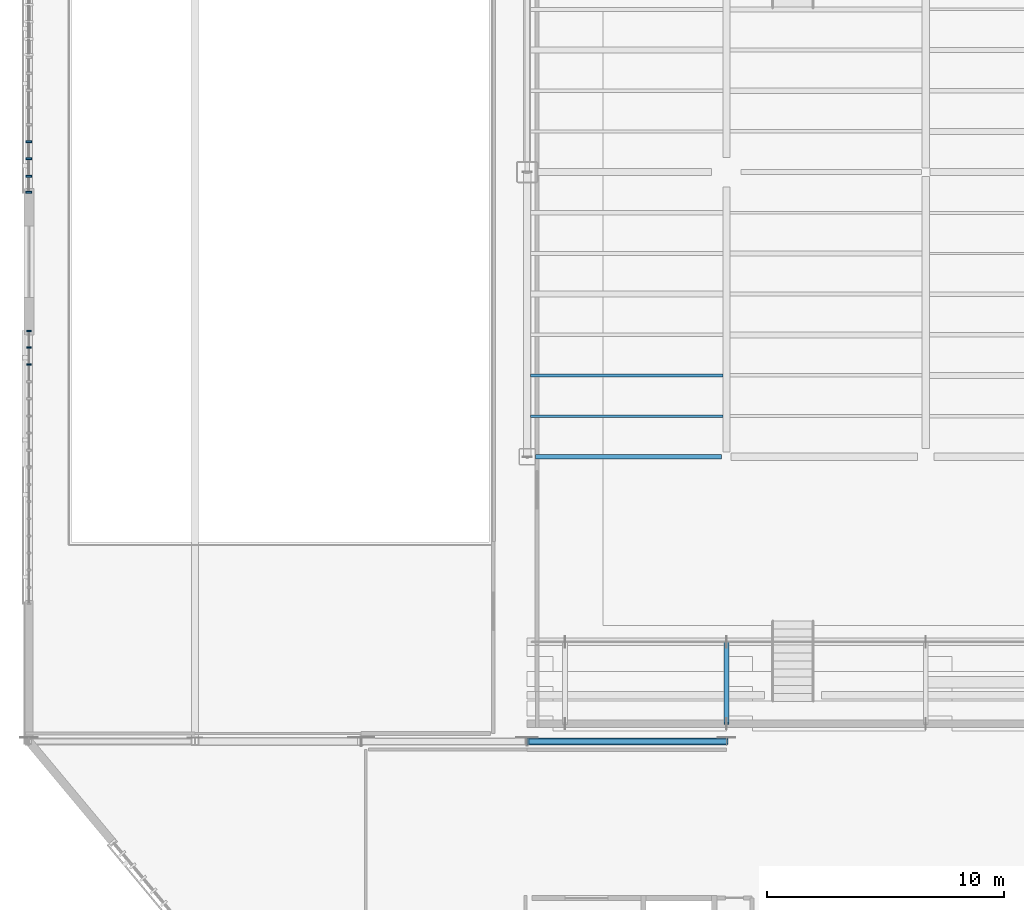
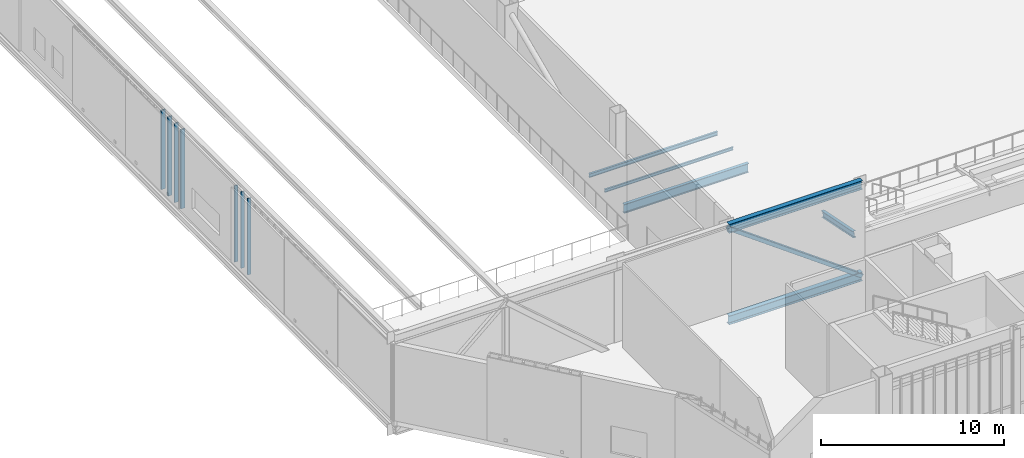
# One storey, part 13 of 135: 9 members, 5 beams, 2 elements without a shape of their own.
"""IFC4 building model written with IfcOpenShell, lengths in metres."""

from ifc_helpers import new_model, si_unit, direction, frame, origin, origin_2d, place, context, subcontext, project, spatial, rectangle, hollow_rectangle, i_section, extrude, material, material_profile, profile_set, type_object, element, aggregate, save


model = new_model("IFC4")

# Units and contexts
model_context = context("Model", 3, precision=1e-05, world=origin(), true_north=direction((0.0, 1.0)))
body_context = subcontext(model_context, "Body", "Model", "MODEL_VIEW")
ifc_project = project(units=[si_unit("LENGTHUNIT", "METRE"), si_unit("AREAUNIT", "SQUARE_METRE"), si_unit("VOLUMEUNIT", "CUBIC_METRE"), si_unit("PLANEANGLEUNIT", "RADIAN"), si_unit("MASSUNIT", "GRAM", prefix="KILO")], contexts=[model_context])

# Site, building, storey
site_placement = place(None, origin())
site = spatial("IfcSite", under=ifc_project, at=site_placement, CompositionType="ELEMENT")
building_placement = place(site_placement, origin())
building = spatial("IfcBuilding", under=site, at=building_placement, Name="Larkvane Passage Sports Hall", CompositionType="ELEMENT")
storey_placement = place(building_placement, frame((0.0, 0.0, 10.800048828125)))
storey = spatial("IfcBuildingStorey", under=building, at=storey_placement, Name="L02", CompositionType="ELEMENT", Elevation=10.800048828125)

# Beams
ifc_material_1 = material(Name="Steel S460N", Category="steel")
ifc_material_profile_1 = material_profile(ifc_material_1, i_section(OverallWidth=0.300048828125, OverallDepth=0.587890625, WebThickness=0.011962890625, FlangeThickness=0.02001953125, FilletRadius=0.02197265625, at=origin_2d()), Name="H-588x300x12x20")
ifc_profile_set_1 = profile_set([ifc_material_profile_1], Name="Steel S460N")
beam_type_1 = type_object("IfcBeamType", Name="BM-STL-H588", PredefinedType="BEAM", material=ifc_profile_set_1)
for number, where, z_axis, x_axis, name in (
    (1, (34.800048828125, 39.60009765625, -0.714111328125), (1.0, 0.0, 0.0), (0.0, 1.0, 0.0), "Cantilever truss CT-W2A-1 bottom chord 4"),
    (2, (34.800048828125, 39.60009765625, 5.385986328125), (1.0, 0.0, 0.0), (0.0, 1.0, 0.0), "Cantilever truss CT-W2A-1 top chord 4"),
):
    element("IfcBeam", number, at=place(storey_placement, frame(where, z_axis=z_axis, x_axis=x_axis)), inside=storey, type_object=beam_type_1, Name=name, PredefinedType="BEAM", context=body_context, shape_type="SweptSolid", body=[
        extrude(i_section(OverallWidth=0.300048828125, OverallDepth=0.587890625, WebThickness=0.011962890625, FlangeThickness=0.02001953125, FilletRadius=0.02197265625, at=origin_2d()), origin(), (0.0, 0.0, 1.0), 8.39990234375),
    ])
ifc_material_2 = material(Name="Steel S355JR", Category="steel")
ifc_material_profile_2 = material_profile(ifc_material_2, i_section(OverallWidth=0.199951171875, OverallDepth=0.60009765625, WebThickness=0.010986328125, FlangeThickness=0.01708984375, FilletRadius=0.01806640625, at=origin_2d()), Name="H-600x200x11x17")
ifc_profile_set_2 = profile_set([ifc_material_profile_2], Name="Steel S355JR")
beam_type_2 = type_object("IfcBeamType", Name="BM-STL-H600", PredefinedType="BEAM", material=ifc_profile_set_2)
beam_1_placement = place(storey_placement, frame((35.14990234375, 51.60009765625, -0.719970703125), z_axis=(1.0, 0.0, 0.0), x_axis=(0.0, 1.0, 0.0)))
element("IfcBeam", 3, at=beam_1_placement, inside=storey, type_object=beam_type_2, Name="Girder BM5-X-L02-G-0696", PredefinedType="BEAM", context=body_context, shape_type="SweptSolid", body=[
    extrude(i_section(OverallWidth=0.199951171875, OverallDepth=0.60009765625, WebThickness=0.010986328125, FlangeThickness=0.01708984375, FilletRadius=0.01806640625, at=origin_2d()), origin(), (0.0, 0.0, 1.0), 7.85009765625),
])

# Curtain wall, members
ifc_material_3 = material(Name="Thermally broken aluminium and low-E glazing", Category="aluminium")
curtain_wall_type_1 = type_object("IfcCurtainWallType", Name="CW-UNIT-VEIL", PredefinedType="USERDEFINED", material=ifc_material_3)
curtain_wall_1_placement = place(storey_placement, origin())
curtain_wall_1 = element("IfcCurtainWall", 4, at=curtain_wall_1_placement, inside=storey, type_object=curtain_wall_type_1, Name="Curtain wall CW5-L02-093", ObjectType="UNITISED CURTAIN WALL", PredefinedType="USERDEFINED")
ifc_material_4 = material(Name="Anodised aluminium 6063-T6", Category="aluminium")
ifc_material_profile_3 = material_profile(ifc_material_4, rectangle(XDim=0.070068359375, YDim=0.199951171875, at=origin_2d()), Name="ALU-MUL-70x200")
ifc_profile_set_3 = profile_set([ifc_material_profile_3], Name="Anodised aluminium 6063-T6")
member_type_1 = type_object("IfcMemberType", Name="CW-MUL-70x200", PredefinedType="MULLION", material=ifc_profile_set_3)
member_1_placement = place(storey_placement, frame((13.800048828125, 55.48876953125, 0.0), z_axis=(0.0, 0.0, 1.0), x_axis=(0.0, 1.0, 0.0)))
member_1 = element("IfcMember", 5, at=member_1_placement, type_object=member_type_1, Name="CW-02 mullion 7", PredefinedType="MULLION", context=body_context, shape_type="SweptSolid", body=[
    extrude(rectangle(XDim=0.070068359375, YDim=0.199951171875, at=origin_2d()), origin(), (0.0, 0.0, 1.0), 5.079833984375),
])
member_2_placement = place(storey_placement, frame((13.800048828125, 56.211181640625, 0.0), z_axis=(0.0, 0.0, 1.0), x_axis=(0.0, 1.0, 0.0)))
member_2 = element("IfcMember", 6, at=member_2_placement, type_object=member_type_1, Name="CW-02 mullion 8", PredefinedType="MULLION", context=body_context, shape_type="SweptSolid", body=[
    extrude(rectangle(XDim=0.070068359375, YDim=0.199951171875, at=origin_2d()), origin(), (0.0, 0.0, 1.0), 5.079833984375),
])
member_3_placement = place(storey_placement, frame((13.800048828125, 56.898193359375, 0.0), z_axis=(0.0, 0.0, 1.0), x_axis=(0.0, 1.0, 0.0)))
member_3 = element("IfcMember", 7, at=member_3_placement, type_object=member_type_1, Name="CW-02 mullion 9", PredefinedType="MULLION", context=body_context, shape_type="SweptSolid", body=[
    extrude(rectangle(XDim=0.070068359375, YDim=0.199951171875, at=origin_2d()), origin(), (0.0, 0.0, 1.0), 5.079833984375),
])
aggregate(curtain_wall_1, [member_1, member_2, member_3])

curtain_wall_type_2 = type_object("IfcCurtainWallType", Name="CW-STICK-FOYER", PredefinedType="USERDEFINED", material=ifc_material_3)
curtain_wall_2_placement = place(storey_placement, origin())
curtain_wall_2 = element("IfcCurtainWall", 8, at=curtain_wall_2_placement, inside=storey, type_object=curtain_wall_type_2, Name="Curtain wall CW5-L02-094", ObjectType="STICK CURTAIN WALL", PredefinedType="USERDEFINED")
ifc_material_profile_4 = material_profile(ifc_material_4, rectangle(XDim=0.080078125, YDim=0.25, at=origin_2d()), Name="ALU-MUL-80x250")
ifc_profile_set_4 = profile_set([ifc_material_profile_4], Name="Anodised aluminium 6063-T6")
member_type_2 = type_object("IfcMemberType", Name="CW-MUL-80x250", PredefinedType="MULLION", material=ifc_profile_set_4)
member_4_placement = place(storey_placement, frame((13.800048828125, 62.751220703125, 0.0), z_axis=(0.0, 0.0, 1.0), x_axis=(0.0, 1.0, 0.0)))
member_4 = element("IfcMember", 9, at=member_4_placement, type_object=member_type_2, Name="CW-03 mullion 1", PredefinedType="MULLION", context=body_context, shape_type="SweptSolid", body=[
    extrude(rectangle(XDim=0.080078125, YDim=0.25, at=origin_2d()), origin(), (0.0, 0.0, 1.0), 5.27783203125),
])
member_5_placement = place(storey_placement, frame((13.800048828125, 63.433349609375, 0.0), z_axis=(0.0, 0.0, 1.0), x_axis=(0.0, 1.0, 0.0)))
member_5 = element("IfcMember", 10, at=member_5_placement, type_object=member_type_2, Name="CW-03 mullion 2", PredefinedType="MULLION", context=body_context, shape_type="SweptSolid", body=[
    extrude(rectangle(XDim=0.080078125, YDim=0.25, at=origin_2d()), origin(), (0.0, 0.0, 1.0), 5.27783203125),
])
member_6_placement = place(storey_placement, frame((13.800048828125, 64.155517578125, 0.0), z_axis=(0.0, 0.0, 1.0), x_axis=(0.0, 1.0, 0.0)))
member_6 = element("IfcMember", 11, at=member_6_placement, type_object=member_type_2, Name="CW-03 mullion 3", PredefinedType="MULLION", context=body_context, shape_type="SweptSolid", body=[
    extrude(rectangle(XDim=0.080078125, YDim=0.25, at=origin_2d()), origin(), (0.0, 0.0, 1.0), 5.27783203125),
])
member_7_placement = place(storey_placement, frame((13.800048828125, 64.877685546875, 0.0), z_axis=(0.0, 0.0, 1.0), x_axis=(0.0, 1.0, 0.0)))
member_7 = element("IfcMember", 12, at=member_7_placement, type_object=member_type_2, Name="CW-03 mullion 4", PredefinedType="MULLION", context=body_context, shape_type="SweptSolid", body=[
    extrude(rectangle(XDim=0.080078125, YDim=0.25, at=origin_2d()), origin(), (0.0, 0.0, 1.0), 5.27783203125),
])
aggregate(curtain_wall_2, [member_4, member_5, member_6, member_7])

# Beams
ifc_material_profile_5 = material_profile(ifc_material_2, i_section(OverallWidth=0.10009765625, OverallDepth=0.199951171875, WebThickness=0.005615234375, FlangeThickness=0.008056640625, FilletRadius=0.008056640625, at=origin_2d()), Name="H-200x100x5.5x8")
ifc_profile_set_5 = profile_set([ifc_material_profile_5], Name="Steel S355JR")
beam_type_3 = type_object("IfcBeamType", Name="JST-STL-H200", PredefinedType="JOIST", material=ifc_profile_set_5)
beam_2_placement = place(storey_placement, frame((34.949951171875, 53.314208984375, -0.52001953125), z_axis=(1.0, 0.0, 0.0), x_axis=(0.0, 1.0, 0.0)))
element("IfcBeam", 13, at=beam_2_placement, inside=storey, type_object=beam_type_3, Name="Composite joist L02 6/G-1", PredefinedType="JOIST", context=body_context, shape_type="SweptSolid", body=[
    extrude(i_section(OverallWidth=0.10009765625, OverallDepth=0.199951171875, WebThickness=0.005615234375, FlangeThickness=0.008056640625, FilletRadius=0.008056640625, at=origin_2d()), origin(), (0.0, 0.0, 1.0), 8.10009765625),
])
ifc_material_profile_6 = material_profile(ifc_material_2, i_section(OverallWidth=0.125, OverallDepth=0.25, WebThickness=0.006103515625, FlangeThickness=0.009033203125, FilletRadius=0.008056640625, at=origin_2d()), Name="H-250x125x6x9")
ifc_profile_set_6 = profile_set([ifc_material_profile_6], Name="Steel S355JR")
beam_type_4 = type_object("IfcBeamType", Name="JST-STL-H250", PredefinedType="JOIST", material=ifc_profile_set_6)
beam_3_placement = place(storey_placement, frame((34.949951171875, 55.028564453125, -0.545166015625), z_axis=(1.0, 0.0, 0.0), x_axis=(0.0, 1.0, 0.0)))
element("IfcBeam", 14, at=beam_3_placement, inside=storey, type_object=beam_type_4, Name="Composite joist L02 6/G-2", PredefinedType="JOIST", context=body_context, shape_type="SweptSolid", body=[
    extrude(i_section(OverallWidth=0.125, OverallDepth=0.25, WebThickness=0.006103515625, FlangeThickness=0.009033203125, FilletRadius=0.008056640625, at=origin_2d()), origin(), (0.0, 0.0, 1.0), 8.10009765625),
])

# Members
ifc_material_profile_7 = material_profile(ifc_material_1, hollow_rectangle(XDim=0.25, YDim=0.25, WallThickness=0.011962890625, InnerFilletRadius=0.011962890625, OuterFilletRadius=0.02392578125, at=origin_2d()), Name="SHS-250x250x12")
ifc_profile_set_7 = profile_set([ifc_material_profile_7], Name="Steel S460N")
member_type_3 = type_object("IfcMemberType", Name="MBR-BR-SHS250", PredefinedType="BRACE", material=ifc_profile_set_7)
member_8_placement = place(storey_placement, frame((34.800048828125, 39.60009765625, 5.385986328125), z_axis=(0.809144712888, 0.0, -0.587609422665), x_axis=(0.0, 1.0, 0.0)))
element("IfcMember", 15, at=member_8_placement, inside=storey, type_object=member_type_3, Name="Cantilever truss CT-W2A-1 web diagonal 4", PredefinedType="BRACE", context=body_context, shape_type="SweptSolid", body=[
    extrude(hollow_rectangle(XDim=0.25, YDim=0.25, WallThickness=0.011962890625, InnerFilletRadius=0.011962890625, OuterFilletRadius=0.02392578125, at=origin_2d()), origin(), (0.0, 0.0, 1.0), 10.381103515625),
])
ifc_material_profile_8 = material_profile(ifc_material_2, i_section(OverallWidth=0.199951171875, OverallDepth=0.39990234375, WebThickness=0.008056640625, FlangeThickness=0.012939453125, FilletRadius=0.012939453125, at=origin_2d()), Name="H-400x200x8x13")
ifc_profile_set_8 = profile_set([ifc_material_profile_8], Name="Steel S355JR")
member_type_4 = type_object("IfcMemberType", Name="MBR-RF-H400", PredefinedType="RAFTER", material=ifc_profile_set_8)
member_9_placement = place(storey_placement, frame((43.199951171875, 43.800048828125, 0.849853515625), z_axis=(0.0, -0.980019226989, 0.198902777086), x_axis=(1.0, 0.0, 0.0)))
element("IfcMember", 16, at=member_9_placement, inside=storey, type_object=member_type_4, Name="Arena stand raker S2", PredefinedType="RAFTER", context=body_context, shape_type="SweptSolid", body=[
    extrude(i_section(OverallWidth=0.199951171875, OverallDepth=0.39990234375, WebThickness=0.008056640625, FlangeThickness=0.012939453125, FilletRadius=0.012939453125, at=origin_2d()), origin(), (0.0, 0.0, 1.0), 3.520263671875),
])

save(model, "model.ifc")
